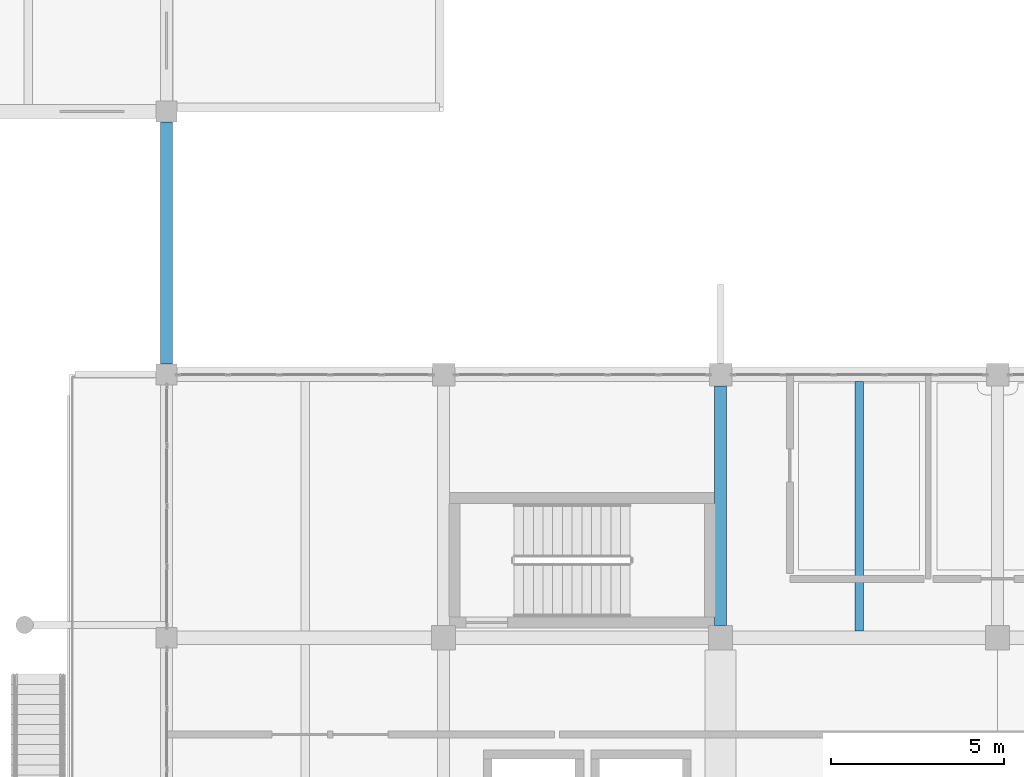
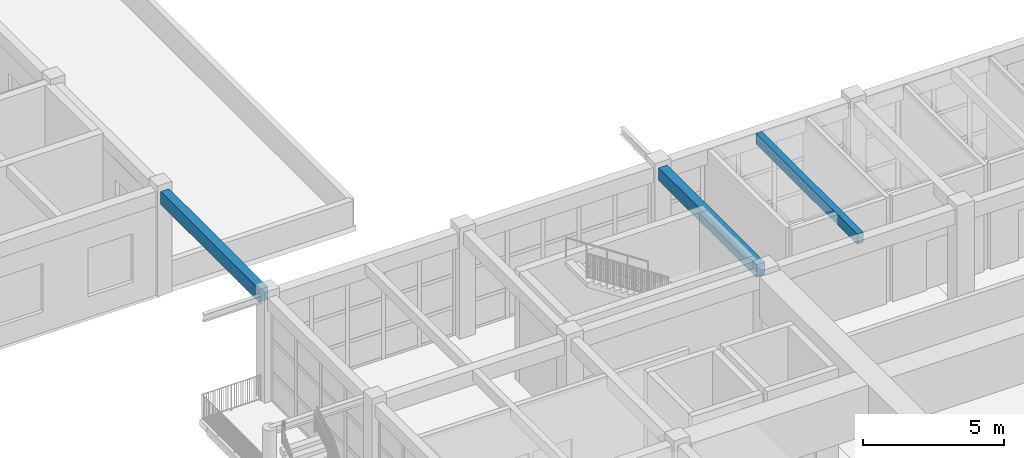
# One storey, part 15 of 50: 3 beams.
"""IFC4 building model written with IfcOpenShell, lengths in metres."""

from ifc_helpers import new_model, si_unit, direction, frame, origin, origin_2d, place, context, subcontext, project, spatial, rectangle, extrude, material, material_profile, profile_set, type_object, element, save


model = new_model("IFC4")

# Units and contexts
model_context = context("Model", 3, precision=1e-05, world=origin(), true_north=direction((0.0, 1.0)))
body_context = subcontext(model_context, "Body", "Model", "MODEL_VIEW")
ifc_project = project(units=[si_unit("LENGTHUNIT", "METRE"), si_unit("AREAUNIT", "SQUARE_METRE"), si_unit("VOLUMEUNIT", "CUBIC_METRE"), si_unit("PLANEANGLEUNIT", "RADIAN"), si_unit("MASSUNIT", "GRAM", prefix="KILO")], contexts=[model_context])

# Site, building, storey
site_placement = place(None, origin())
site = spatial("IfcSite", under=ifc_project, at=site_placement, CompositionType="ELEMENT")
building_placement = place(site_placement, origin())
building = spatial("IfcBuilding", under=site, at=building_placement, Name="Zantavel Square City Hall", CompositionType="ELEMENT")
storey_placement = place(building_placement, frame((0.0, 0.0, 18.89990234375)))
storey = spatial("IfcBuildingStorey", under=building, at=storey_placement, Name="L05", CompositionType="ELEMENT", Elevation=18.89990234375)

# Beams
ifc_material = material(Name="Concrete C35/45", Category="concrete")
ifc_material_profile_1 = material_profile(ifc_material, rectangle(XDim=0.25, YDim=0.449951171875, at=origin_2d()), Name="RC 250x450")
ifc_profile_set_1 = profile_set([ifc_material_profile_1], Name="Concrete C35/45")
beam_type_1 = type_object("IfcBeamType", Name="Light Floor Joist RC 250x450 C35/45", PredefinedType="JOIST", material=ifc_profile_set_1)
beam_1_placement = place(storey_placement, frame((76.0, 61.0, 4.34521484375), z_axis=(0.0, 1.0, 0.0), x_axis=(-1.0, 0.0, 0.0)))
element("IfcBeam", 1, at=beam_1_placement, inside=storey, type_object=beam_type_1, Name="L05 Floor Joist JST-L05-0760-0608", PredefinedType="JOIST", context=body_context, shape_type="SweptSolid", body=[
    extrude(rectangle(XDim=0.25, YDim=0.449951171875, at=origin_2d()), origin(), (0.0, 0.0, 1.0), 7.199951171875),
])
ifc_material_profile_2 = material_profile(ifc_material, rectangle(XDim=0.35009765625, YDim=0.550048828125, at=origin_2d()), Name="RC 350x550")
ifc_profile_set_2 = profile_set([ifc_material_profile_2], Name="Concrete C35/45")
beam_type_2 = type_object("IfcBeamType", Name="Secondary Beam RC 350x550 C35/45", PredefinedType="BEAM", material=ifc_profile_set_2)
beam_2_placement = place(storey_placement, frame((56.0, 68.699951171875, 4.2451171875), z_axis=(0.0, 1.0, 0.0), x_axis=(-1.0, 0.0, 0.0)))
element("IfcBeam", 2, at=beam_2_placement, inside=storey, type_object=beam_type_2, Name="L05 Beam BMY-L05-0560-0684", PredefinedType="BEAM", context=body_context, shape_type="SweptSolid", body=[
    extrude(rectangle(XDim=0.35009765625, YDim=0.550048828125, at=origin_2d()), origin(), (0.0, 0.0, 1.0), 7.0),
])
beam_3_placement = place(storey_placement, frame((72.0, 61.14990234375, 4.295166015625), z_axis=(0.0, 1.0, 0.0), x_axis=(-1.0, 0.0, 0.0)))
element("IfcBeam", 3, at=beam_3_placement, inside=storey, type_object=beam_type_2, Name="L05 Beam BMY-L05-0720-0608", PredefinedType="BEAM", context=body_context, shape_type="SweptSolid", body=[
    extrude(rectangle(XDim=0.35009765625, YDim=0.550048828125, at=origin_2d()), origin(), (0.0, 0.0, 1.0), 6.925048828125),
])

save(model, "model.ifc")
